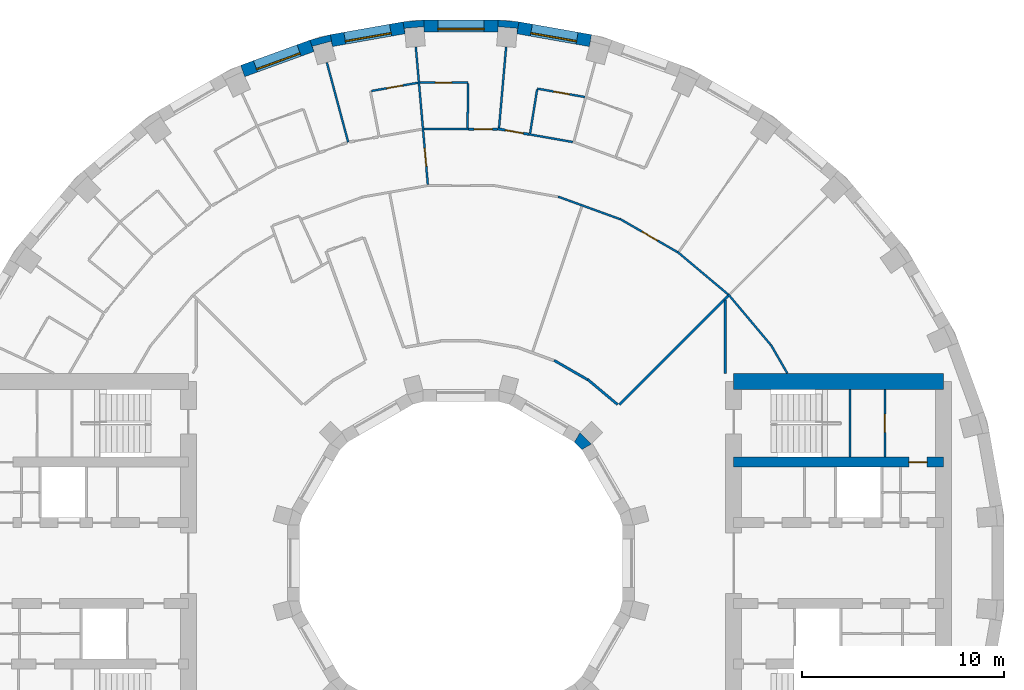
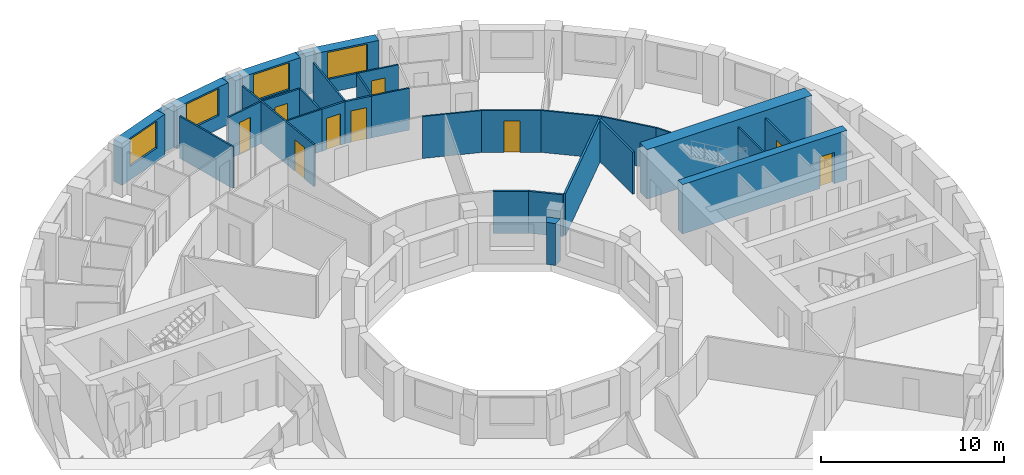
# One storey, part 11 of 14: 33 walls, 9 doors, 4 windows, 13 openings.
"""IFC4 building model written with IfcOpenShell, lengths in metres."""

from ifc_helpers import new_model, si_unit, direction, frame, frame_2d, origin, place, context, subcontext, project, spatial, polyline, rectangle, outline, extrude, material, layer, layer_set, type_object, element, fill, save


model = new_model("IFC4")

# Units and contexts
model_context = context("Model", 3, precision=1e-05, world=origin(), true_north=direction((0.0, 1.0)))
body_context = subcontext(model_context, "Body", "Model", "MODEL_VIEW")
ifc_project = project(units=[si_unit("LENGTHUNIT", "METRE"), si_unit("AREAUNIT", "SQUARE_METRE"), si_unit("VOLUMEUNIT", "CUBIC_METRE"), si_unit("PLANEANGLEUNIT", "RADIAN"), si_unit("MASSUNIT", "GRAM", prefix="KILO")], contexts=[model_context])

# Site, building, storey
site_placement = place(None, origin())
site = spatial("IfcSite", under=ifc_project, at=site_placement, CompositionType="ELEMENT")
building_placement = place(site_placement, origin())
building = spatial("IfcBuilding", under=site, at=building_placement, Name="Saqina Gate Tower", CompositionType="ELEMENT")
storey_placement = place(building_placement, frame((0.0, 0.0, 134.800048828125)))
storey = spatial("IfcBuildingStorey", under=building, at=storey_placement, Name="L38", CompositionType="ELEMENT", Elevation=134.800048828125)

# Walls
ifc_material_1 = material(Name="Brick masonry (buff)", Category="masonry")
wall_type_1 = type_object("IfcWallType", Name="BRICK PIER COPING BUFF", PredefinedType="SOLIDWALL", material=ifc_material_1)
wall_1_placement = place(storey_placement, origin())
element("IfcWall", 1, at=wall_1_placement, inside=storey, type_object=wall_type_1, Name="Pier cap L38 column 9", PredefinedType="SOLIDWALL", context=body_context, shape_type="SweptSolid", body=[
    extrude(outline(polyline([(2.87451171875, 26.805419921875), (1.823974609375, 26.897216796875), (1.823974609375, 26.29736328125), (1.847412109375, 26.565185546875), (2.793701171875, 26.482421875), (2.770263671875, 26.214599609375), (2.87451171875, 26.805419921875)])), origin(), (0.0, 0.0, 1.0), 2.800048828125),
])
wall_2_placement = place(storey_placement, origin())
element("IfcWall", 2, at=wall_2_placement, inside=storey, type_object=wall_type_1, Name="Pier cap L38 column 10", PredefinedType="SOLIDWALL", context=body_context, shape_type="SweptSolid", body=[
    extrude(outline(polyline([(-2.87451171875, 26.805419921875), (-2.770263671875, 26.214599609375), (-2.793701171875, 26.482421875), (-1.847412109375, 26.565185546875), (-1.823974609375, 26.29736328125), (-1.823974609375, 26.897216796875), (-2.87451171875, 26.805419921875)])), origin(), (0.0, 0.0, 1.0), 2.800048828125),
])
wall_3_placement = place(storey_placement, origin())
element("IfcWall", 3, at=wall_3_placement, inside=storey, type_object=wall_type_1, Name="Pier cap L38 column 11", PredefinedType="SOLIDWALL", context=body_context, shape_type="SweptSolid", body=[
    extrude(outline(polyline([(-6.466796875, 26.171875), (-7.485595703125, 25.89892578125), (-7.2802734375, 25.335205078125), (-7.349853515625, 25.5947265625), (-6.43212890625, 25.8408203125), (-6.36279296875, 25.5810546875), (-6.466796875, 26.171875)])), origin(), (0.0, 0.0, 1.0), 2.800048828125),
])

# Wall, opening, door
ifc_material_2 = material(Name="Gypsum board on steel studs", Category="steel")
ifc_layer_1 = layer(ifc_material_2, 0.10009765625)
ifc_layer_set_1 = layer_set([ifc_layer_1], Name="CORE PARTITION")
wall_type_2 = type_object("IfcWallType", Name="CORE PARTITION", PredefinedType="PARTITIONING", material=ifc_layer_set_1)
wall_4_placement = place(storey_placement, frame((20.991943359375, 5.25, 0.0), z_axis=(0.0, 0.0, 1.0), x_axis=(0.0, 1.0, 0.0)))
wall_4 = element("IfcWall", 4, at=wall_4_placement, inside=storey, type_object=wall_type_2, Name="L38-CP-E13", PredefinedType="PARTITIONING", context=body_context, shape_type="SweptSolid", body=[
    extrude(rectangle(XDim=3.35009765625, YDim=0.10009765625, at=frame_2d((1.675048828125, 0.0))), origin(), (0.0, 0.0, 1.0), 2.800048828125),
])
opening_1_placement = place(wall_4_placement, frame((1.22509765625, 0.0, 0.0)))
opening_1 = element("IfcOpeningElement", 5, at=opening_1_placement, cuts=wall_4, Name="Opening G11-D99", PredefinedType="OPENING", context=body_context, shape_type="SweptSolid", body=[
    extrude(rectangle(XDim=0.89990234375, YDim=2.10009765625, at=frame_2d((0.449951171875, 1.050048828125))), frame((0.0, 0.06201171875, 0.0), z_axis=(0.0, -1.0, 0.0), x_axis=(1.0, 0.0, 0.0)), (0.0, 0.0, 1.0), 0.1240234375),
])
ifc_material_3 = material(Name="Steel-framed fire door leaf, EI 60", Category="steel")
door_type_1 = type_object("IfcDoorType", Name="SERVICE ROOM DOOR 900", OperationType="SINGLE_SWING_LEFT", PredefinedType="DOOR", material=ifc_material_3)
door_1_placement = place(opening_1_placement, frame((0.89990234375, 0.0, 0.0), z_axis=(0.0, 0.0, 1.0), x_axis=(-1.0, 0.0, 0.0)))
door_1 = element("IfcDoor", 6, at=door_1_placement, inside=storey, type_object=door_type_1, Name="L38-CD-E10", OperationType="SINGLE_SWING_LEFT", OverallHeight=2.10009765625, OverallWidth=0.89990234375, PredefinedType="DOOR", context=body_context, shape_type="SweptSolid", body=[
    extrude(rectangle(XDim=0.89990234375, YDim=2.10009765625, at=frame_2d((0.449951171875, 1.050048828125))), frame((0.0, 0.02490234375, 0.0), z_axis=(0.0, -1.0, 0.0), x_axis=(1.0, 0.0, 0.0)), (0.0, 0.0, 1.0), 0.050048828125),
])
fill(opening_1, door_1)

# Wall, opening, window
ifc_material_4 = material(Name="Brick masonry (buff)", Category="masonry")
ifc_layer_2 = layer(ifc_material_4, 0.60009765625)
ifc_layer_set_2 = layer_set([ifc_layer_2], Name="FW-BRICK-BUFF")
wall_type_3 = type_object("IfcWallType", Name="FW-BRICK-BUFF", PredefinedType="SOLIDWALL", material=ifc_layer_set_2)
wall_5_placement = place(storey_placement, frame((6.414794921875, 25.87646484375, 0.0), z_axis=(0.0, 0.0, 1.0), x_axis=(-0.984803764455, 0.173670796382, 0.0)))
wall_5 = element("IfcWall", 7, at=wall_5_placement, inside=storey, type_object=wall_type_3, Name="Facade wall L38 facet 8", PredefinedType="SOLIDWALL", context=body_context, shape_type="SweptSolid", body=[
    extrude(rectangle(XDim=3.64794921875, YDim=0.60009765625, at=frame_2d((1.823974609375, 0.0))), origin(), (0.0, 0.0, 1.0), 2.800048828125),
])
opening_2_placement = place(wall_5_placement, frame((0.673828125, 0.0, 0.89990234375)))
opening_2 = element("IfcOpeningElement", 8, at=opening_2_placement, cuts=wall_5, Name="Opening G11-W06", PredefinedType="OPENING", context=body_context, shape_type="SweptSolid", body=[
    extrude(rectangle(XDim=2.300048828125, YDim=1.800048828125, at=frame_2d((1.14990234375, 0.89990234375))), frame((0.0, 0.31201171875, 0.0), z_axis=(0.0, -1.0, 0.0), x_axis=(1.0, 0.0, 0.0)), (0.0, 0.0, 1.0), 0.6240234375),
])
ifc_material_5 = material(Name="Aluminium glazing", Category="aluminium")
window_type = type_object("IfcWindowType", Name="WN-B", PartitioningType="SINGLE_PANEL", PredefinedType="WINDOW", material=ifc_material_5)
window_1_placement = place(opening_2_placement, origin())
window_1 = element("IfcWindow", 9, at=window_1_placement, inside=storey, type_object=window_type, Name="Window L38 facet 8", OverallHeight=1.800048828125, OverallWidth=2.300048828125, PartitioningType="SINGLE_PANEL", PredefinedType="WINDOW", context=body_context, shape_type="SweptSolid", body=[
    extrude(rectangle(XDim=2.300048828125, YDim=1.800048828125, at=frame_2d((1.14990234375, 0.89990234375))), frame((0.0, 0.179931640625, 0.0), z_axis=(0.0, -1.0, 0.0), x_axis=(1.0, 0.0, 0.0)), (0.0, 0.0, 1.0), 0.06005859375),
])
fill(opening_2, window_1)

wall_6_placement = place(storey_placement, frame((1.823974609375, 26.59716796875, 0.0), z_axis=(0.0, 0.0, 1.0), x_axis=(-1.0, 0.0, 0.0)))
wall_6 = element("IfcWall", 10, at=wall_6_placement, inside=storey, type_object=wall_type_3, Name="Facade wall L38 facet 9", PredefinedType="SOLIDWALL", context=body_context, shape_type="SweptSolid", body=[
    extrude(rectangle(XDim=3.64794921875, YDim=0.60009765625, at=frame_2d((1.823974609375, 0.0))), origin(), (0.0, 0.0, 1.0), 2.800048828125),
])
opening_3_placement = place(wall_6_placement, frame((0.673828125, 0.0, 0.89990234375)))
opening_3 = element("IfcOpeningElement", 11, at=opening_3_placement, cuts=wall_6, Name="Opening G11-W07", PredefinedType="OPENING", context=body_context, shape_type="SweptSolid", body=[
    extrude(rectangle(XDim=2.300048828125, YDim=1.800048828125, at=frame_2d((1.14990234375, 0.89990234375))), frame((0.0, 0.31201171875, 0.0), z_axis=(0.0, -1.0, 0.0), x_axis=(1.0, 0.0, 0.0)), (0.0, 0.0, 1.0), 0.6240234375),
])
window_2_placement = place(opening_3_placement, origin())
window_2 = element("IfcWindow", 12, at=window_2_placement, inside=storey, type_object=window_type, Name="Window L38 facet 9", OverallHeight=1.800048828125, OverallWidth=2.300048828125, PartitioningType="SINGLE_PANEL", PredefinedType="WINDOW", context=body_context, shape_type="SweptSolid", body=[
    extrude(rectangle(XDim=2.300048828125, YDim=1.800048828125, at=frame_2d((1.14990234375, 0.89990234375))), frame((0.0, 0.179931640625, 0.0), z_axis=(0.0, -1.0, 0.0), x_axis=(1.0, 0.0, 0.0)), (0.0, 0.0, 1.0), 0.06005859375),
])
fill(opening_3, window_2)

wall_7_placement = place(storey_placement, frame((-2.822265625, 26.510009765625, 0.0), z_axis=(0.0, 0.0, 1.0), x_axis=(-0.984803764455, -0.173670796382, 0.0)))
wall_7 = element("IfcWall", 13, at=wall_7_placement, inside=storey, type_object=wall_type_3, Name="Facade wall L38 facet 10", PredefinedType="SOLIDWALL", context=body_context, shape_type="SweptSolid", body=[
    extrude(rectangle(XDim=3.64794921875, YDim=0.60009765625, at=frame_2d((1.823974609375, 0.0))), origin(), (0.0, 0.0, 1.0), 2.800048828125),
])
opening_4_placement = place(wall_7_placement, frame((0.673828125, 0.0, 0.89990234375)))
opening_4 = element("IfcOpeningElement", 14, at=opening_4_placement, cuts=wall_7, Name="Opening G11-W08", PredefinedType="OPENING", context=body_context, shape_type="SweptSolid", body=[
    extrude(rectangle(XDim=2.300048828125, YDim=1.800048828125, at=frame_2d((1.14990234375, 0.89990234375))), frame((0.0, 0.31201171875, 0.0), z_axis=(0.0, -1.0, 0.0), x_axis=(1.0, 0.0, 0.0)), (0.0, 0.0, 1.0), 0.6240234375),
])
window_3_placement = place(opening_4_placement, origin())
window_3 = element("IfcWindow", 15, at=window_3_placement, inside=storey, type_object=window_type, Name="Window L38 facet 10", OverallHeight=1.800048828125, OverallWidth=2.300048828125, PartitioningType="SINGLE_PANEL", PredefinedType="WINDOW", context=body_context, shape_type="SweptSolid", body=[
    extrude(rectangle(XDim=2.300048828125, YDim=1.800048828125, at=frame_2d((1.14990234375, 0.89990234375))), frame((0.0, 0.179931640625, 0.0), z_axis=(0.0, -1.0, 0.0), x_axis=(1.0, 0.0, 0.0)), (0.0, 0.0, 1.0), 0.06005859375),
])
fill(opening_4, window_3)

wall_8_placement = place(storey_placement, frame((-7.3828125, 25.616943359375, 0.0), z_axis=(0.0, 0.0, 1.0), x_axis=(-0.939703505393, -0.341990236633, 0.0)))
wall_8 = element("IfcWall", 16, at=wall_8_placement, inside=storey, type_object=wall_type_3, Name="Facade wall L38 facet 11", PredefinedType="SOLIDWALL", context=body_context, shape_type="SweptSolid", body=[
    extrude(rectangle(XDim=3.64794921875, YDim=0.60009765625, at=frame_2d((1.823974609375, 0.0))), origin(), (0.0, 0.0, 1.0), 2.800048828125),
])
opening_5_placement = place(wall_8_placement, frame((0.673828125, 0.0, 0.89990234375)))
opening_5 = element("IfcOpeningElement", 17, at=opening_5_placement, cuts=wall_8, Name="Opening G11-W09", PredefinedType="OPENING", context=body_context, shape_type="SweptSolid", body=[
    extrude(rectangle(XDim=2.300048828125, YDim=1.800048828125, at=frame_2d((1.14990234375, 0.89990234375))), frame((0.0, 0.31201171875, 0.0), z_axis=(0.0, -1.0, 0.0), x_axis=(1.0, 0.0, 0.0)), (0.0, 0.0, 1.0), 0.6240234375),
])
window_4_placement = place(opening_5_placement, origin())
window_4 = element("IfcWindow", 18, at=window_4_placement, inside=storey, type_object=window_type, Name="Window L38 facet 11", OverallHeight=1.800048828125, OverallWidth=2.300048828125, PartitioningType="SINGLE_PANEL", PredefinedType="WINDOW", context=body_context, shape_type="SweptSolid", body=[
    extrude(rectangle(XDim=2.300048828125, YDim=1.800048828125, at=frame_2d((1.14990234375, 0.89990234375))), frame((0.0, 0.179931640625, 0.0), z_axis=(0.0, -1.0, 0.0), x_axis=(1.0, 0.0, 0.0)), (0.0, 0.0, 1.0), 0.06005859375),
])
fill(opening_5, window_4)

# Wall, opening, door
ifc_material_6 = material(Name="Gypsum board on steel studs, 100 mm", Category="steel")
ifc_layer_3 = layer(ifc_material_6, 0.10009765625)
ifc_layer_set_3 = layer_set([ifc_layer_3], Name="PARTITION 100")
wall_type_4 = type_object("IfcWallType", Name="PARTITION 100", PredefinedType="PARTITIONING", material=ifc_layer_set_3)
wall_9_placement = place(storey_placement, frame((-2.23681640625, 25.5673828125, 0.0), z_axis=(0.0, 0.0, 1.0), x_axis=(0.087068277691, -0.996202346424, 0.0)))
wall_9 = element("IfcWall", 19, at=wall_9_placement, inside=storey, type_object=wall_type_4, Name="PARTITION PW3-02", PredefinedType="PARTITIONING", context=body_context, shape_type="SweptSolid", body=[
    extrude(rectangle(XDim=6.844482421875, YDim=0.10009765625, at=frame_2d((3.42236328125, 0.0))), origin(), (0.0, 0.0, 1.0), 2.800048828125),
])
opening_6_placement = place(wall_9_placement, frame((5.040283203125, 0.0, 0.0)))
opening_6 = element("IfcOpeningElement", 20, at=opening_6_placement, cuts=wall_9, Name="Opening G11-D11", PredefinedType="OPENING", context=body_context, shape_type="SweptSolid", body=[
    extrude(rectangle(XDim=0.89990234375, YDim=2.10009765625, at=frame_2d((0.449951171875, 1.050048828125))), frame((0.0, 0.06201171875, 0.0), z_axis=(0.0, -1.0, 0.0), x_axis=(1.0, 0.0, 0.0)), (0.0, 0.0, 1.0), 0.1240234375),
])
ifc_material_7 = material(Name="Timber door leaf, 900 mm", Category="wood")
door_type_2 = type_object("IfcDoorType", Name="DOOR 900 TIMBER", OperationType="SINGLE_SWING_LEFT", PredefinedType="DOOR", material=ifc_material_7)
door_2_placement = place(opening_6_placement, origin())
door_2 = element("IfcDoor", 21, at=door_2_placement, inside=storey, type_object=door_type_2, Name="DOOR G11-D11", OperationType="SINGLE_SWING_RIGHT", OverallHeight=2.10009765625, OverallWidth=0.89990234375, PredefinedType="DOOR", context=body_context, shape_type="SweptSolid", body=[
    extrude(rectangle(XDim=0.89990234375, YDim=2.10009765625, at=frame_2d((0.449951171875, 1.050048828125))), frame((0.0, 0.02490234375, 0.0), z_axis=(0.0, -1.0, 0.0), x_axis=(1.0, 0.0, 0.0)), (0.0, 0.0, 1.0), 0.050048828125),
])
fill(opening_6, door_2)

# Walls
wall_10_placement = place(storey_placement, frame((-6.642333984375, 24.79052734375, 0.0), z_axis=(0.0, 0.0, 1.0), x_axis=(0.258796817064, -0.965931782, 0.0)))
element("IfcWall", 22, at=wall_10_placement, inside=storey, type_object=wall_type_4, Name="PARTITION PW3-09", PredefinedType="PARTITIONING", context=body_context, shape_type="SweptSolid", body=[
    extrude(rectangle(XDim=4.085693359375, YDim=0.10009765625, at=frame_2d((2.04296875, 0.0))), origin(), (0.0, 0.0, 1.0), 2.800048828125),
])
wall_11_placement = place(storey_placement, frame((15.3505859375, 10.81005859375, 0.0), z_axis=(0.0, 0.0, 1.0), x_axis=(0.499618727529, -0.866245419672, 0.0)))
element("IfcWall", 23, at=wall_11_placement, inside=storey, type_object=wall_type_4, Name="PARTITION PW3-15", PredefinedType="PARTITIONING", context=body_context, shape_type="SweptSolid", body=[
    extrude(rectangle(XDim=1.630126953125, YDim=0.10009765625, at=frame_2d((0.81494140625, 0.0))), origin(), (0.0, 0.0, 1.0), 2.800048828125),
])
for number, where, z_axis, x_axis, name in (
    (24, (13.2392578125, 13.310791015625, 0.0), (0.0, 0.0, 1.0), (0.643004881109, -0.76586207823, 0.0), "PARTITION PW3-20"),
    (25, (10.72705078125, 15.40869140625, 0.0), (0.0, 0.0, 1.0), (0.76586207823, -0.643004881109, 0.0), "PARTITION PW3-23"),
):
    element("IfcWall", number, at=place(storey_placement, frame(where, z_axis=z_axis, x_axis=x_axis)), inside=storey, type_object=wall_type_4, Name=name, PredefinedType="PARTITIONING", context=body_context, shape_type="SweptSolid", body=[
        extrude(rectangle(XDim=3.27294921875, YDim=0.10009765625, at=frame_2d((1.636474609375, 0.0))), origin(), (0.0, 0.0, 1.0), 2.800048828125),
    ])

# Wall, opening, door
wall_12_placement = place(storey_placement, frame((7.888916015625, 17.037353515625, 0.0), z_axis=(0.0, 0.0, 1.0), x_axis=(0.866002935623, -0.500038913978, 0.0)))
wall_12 = element("IfcWall", 26, at=wall_12_placement, inside=storey, type_object=wall_type_4, Name="PARTITION PW3-27", PredefinedType="PARTITIONING", context=body_context, shape_type="SweptSolid", body=[
    extrude(rectangle(XDim=3.272216796875, YDim=0.10009765625, at=frame_2d((1.63623046875, 0.0))), origin(), (0.0, 0.0, 1.0), 2.800048828125),
])
opening_7_placement = place(wall_12_placement, frame((1.236572265625, 0.0, 0.0)))
opening_7 = element("IfcOpeningElement", 27, at=opening_7_placement, cuts=wall_12, Name="Opening G11-D03", PredefinedType="OPENING", context=body_context, shape_type="SweptSolid", body=[
    extrude(rectangle(XDim=0.89990234375, YDim=2.10009765625, at=frame_2d((0.449951171875, 1.050048828125))), frame((0.0, 0.06201171875, 0.0), z_axis=(0.0, -1.0, 0.0), x_axis=(1.0, 0.0, 0.0)), (0.0, 0.0, 1.0), 0.1240234375),
])
door_3_placement = place(opening_7_placement, origin())
door_3 = element("IfcDoor", 28, at=door_3_placement, inside=storey, type_object=door_type_2, Name="DOOR G11-D03", OperationType="SINGLE_SWING_RIGHT", OverallHeight=2.10009765625, OverallWidth=0.89990234375, PredefinedType="DOOR", context=body_context, shape_type="SweptSolid", body=[
    extrude(rectangle(XDim=0.89990234375, YDim=2.10009765625, at=frame_2d((0.449951171875, 1.050048828125))), frame((0.0, 0.02490234375, 0.0), z_axis=(0.0, -1.0, 0.0), x_axis=(1.0, 0.0, 0.0)), (0.0, 0.0, 1.0), 0.050048828125),
])
fill(opening_7, door_3)

# Walls
wall_13_placement = place(storey_placement, frame((4.810302734375, 18.14794921875, 0.0), z_axis=(0.0, 0.0, 1.0), x_axis=(0.939747677998, -0.341868836979, 0.0)))
element("IfcWall", 29, at=wall_13_placement, inside=storey, type_object=wall_type_4, Name="PARTITION PW3-30", PredefinedType="PARTITIONING", context=body_context, shape_type="SweptSolid", body=[
    extrude(rectangle(XDim=3.27294921875, YDim=0.10009765625, at=frame_2d((1.636474609375, 0.0))), origin(), (0.0, 0.0, 1.0), 2.800048828125),
])
wall_14_placement = place(storey_placement, frame((3.36474609375, 21.235595703125, 0.0), z_axis=(0.0, 0.0, 1.0), x_axis=(0.98480584975, -0.173658971256, 0.0)))
element("IfcWall", 30, at=wall_14_placement, inside=storey, type_object=wall_type_4, Name="PARTITION PW3-36", PredefinedType="PARTITIONING", context=body_context, shape_type="SweptSolid", body=[
    extrude(rectangle(XDim=2.204345703125, YDim=0.10009765625, at=frame_2d((1.10205078125, 0.0))), origin(), (0.0, 0.0, 1.0), 2.800048828125),
])

# Wall, opening, door
wall_15_placement = place(storey_placement, frame((3.779052734375, 23.498046875, 0.0), z_axis=(0.0, 0.0, 1.0), x_axis=(0.984802055472, -0.173680486922, 0.0)))
wall_15 = element("IfcWall", 31, at=wall_15_placement, inside=storey, type_object=wall_type_4, Name="PARTITION PW3-37", PredefinedType="PARTITIONING", context=body_context, shape_type="SweptSolid", body=[
    extrude(rectangle(XDim=2.39111328125, YDim=0.10009765625, at=frame_2d((1.195556640625, 0.0))), origin(), (0.0, 0.0, 1.0), 2.800048828125),
])
opening_8_placement = place(wall_15_placement, frame((0.820556640625, 0.0, 0.0)))
opening_8 = element("IfcOpeningElement", 32, at=opening_8_placement, cuts=wall_15, Name="Opening G11-D06", PredefinedType="OPENING", context=body_context, shape_type="SweptSolid", body=[
    extrude(rectangle(XDim=0.800048828125, YDim=2.10009765625, at=frame_2d((0.39990234375, 1.050048828125))), frame((0.0, 0.06201171875, 0.0), z_axis=(0.0, -1.0, 0.0), x_axis=(1.0, 0.0, 0.0)), (0.0, 0.0, 1.0), 0.1240234375),
])
ifc_material_8 = material(Name="Timber door leaf, 800 mm", Category="wood")
door_type_3 = type_object("IfcDoorType", Name="DOOR 800 TIMBER", OperationType="SINGLE_SWING_LEFT", PredefinedType="DOOR", material=ifc_material_8)
door_4_placement = place(opening_8_placement, origin())
door_4 = element("IfcDoor", 33, at=door_4_placement, inside=storey, type_object=door_type_3, Name="DOOR G11-D06", OperationType="SINGLE_SWING_RIGHT", OverallHeight=2.10009765625, OverallWidth=0.800048828125, PredefinedType="DOOR", context=body_context, shape_type="SweptSolid", body=[
    extrude(rectangle(XDim=0.800048828125, YDim=2.10009765625, at=frame_2d((0.39990234375, 1.050048828125))), frame((0.0, 0.02490234375, 0.0), z_axis=(0.0, -1.0, 0.0), x_axis=(1.0, 0.0, 0.0)), (0.0, 0.0, 1.0), 0.050048828125),
])
fill(opening_8, door_4)

# Wall
wall_16_placement = place(storey_placement, frame((-1.8310546875, 21.4970703125, 0.0), z_axis=(0.0, 0.0, 1.0), x_axis=(1.0, 0.0, 0.0)))
element("IfcWall", 34, at=wall_16_placement, inside=storey, type_object=wall_type_4, Name="PARTITION PW3-42", PredefinedType="PARTITIONING", context=body_context, shape_type="SweptSolid", body=[
    extrude(rectangle(XDim=2.205078125, YDim=0.10009765625, at=frame_2d((1.1025390625, 0.0))), origin(), (0.0, 0.0, 1.0), 2.800048828125),
])

# Wall, opening, door
wall_17_placement = place(storey_placement, frame((-2.031982421875, 23.797119140625, 0.0), z_axis=(0.0, 0.0, 1.0), x_axis=(1.0, 0.0, 0.0)))
wall_17 = element("IfcWall", 35, at=wall_17_placement, inside=storey, type_object=wall_type_4, Name="PARTITION PW3-43", PredefinedType="PARTITIONING", context=body_context, shape_type="SweptSolid", body=[
    extrude(rectangle(XDim=2.390869140625, YDim=0.10009765625, at=frame_2d((1.1953125, 0.0))), origin(), (0.0, 0.0, 1.0), 2.800048828125),
])
opening_9_placement = place(wall_17_placement, frame((0.7705078125, 0.0, 0.0)))
opening_9 = element("IfcOpeningElement", 36, at=opening_9_placement, cuts=wall_17, Name="Opening G11-D10", PredefinedType="OPENING", context=body_context, shape_type="SweptSolid", body=[
    extrude(rectangle(XDim=0.800048828125, YDim=2.10009765625, at=frame_2d((0.39990234375, 1.050048828125))), frame((0.0, 0.06201171875, 0.0), z_axis=(0.0, -1.0, 0.0), x_axis=(1.0, 0.0, 0.0)), (0.0, 0.0, 1.0), 0.1240234375),
])
door_5_placement = place(opening_9_placement, origin())
door_5 = element("IfcDoor", 37, at=door_5_placement, inside=storey, type_object=door_type_3, Name="DOOR G11-D10", OperationType="SINGLE_SWING_LEFT", OverallHeight=2.10009765625, OverallWidth=0.800048828125, PredefinedType="DOOR", context=body_context, shape_type="SweptSolid", body=[
    extrude(rectangle(XDim=0.800048828125, YDim=2.10009765625, at=frame_2d((0.39990234375, 1.050048828125))), frame((0.0, 0.02490234375, 0.0), z_axis=(0.0, -1.0, 0.0), x_axis=(1.0, 0.0, 0.0)), (0.0, 0.0, 1.0), 0.050048828125),
])
fill(opening_9, door_5)

wall_18_placement = place(storey_placement, frame((-4.436767578125, 23.381591796875, 0.0), z_axis=(0.0, 0.0, 1.0), x_axis=(0.984790907087, 0.173743688574, 0.0)))
wall_18 = element("IfcWall", 38, at=wall_18_placement, inside=storey, type_object=wall_type_4, Name="PARTITION PW3-50", PredefinedType="PARTITIONING", context=body_context, shape_type="SweptSolid", body=[
    extrude(rectangle(XDim=2.341064453125, YDim=0.10009765625, at=frame_2d((1.17041015625, 0.0))), origin(), (0.0, 0.0, 1.0), 2.800048828125),
])
opening_10_placement = place(wall_18_placement, frame((0.7705078125, 0.0, 0.0)))
opening_10 = element("IfcOpeningElement", 39, at=opening_10_placement, cuts=wall_18, Name="Opening G11-D12", PredefinedType="OPENING", context=body_context, shape_type="SweptSolid", body=[
    extrude(rectangle(XDim=0.800048828125, YDim=2.10009765625, at=frame_2d((0.39990234375, 1.050048828125))), frame((0.0, 0.06201171875, 0.0), z_axis=(0.0, -1.0, 0.0), x_axis=(1.0, 0.0, 0.0)), (0.0, 0.0, 1.0), 0.1240234375),
])
door_6_placement = place(opening_10_placement, origin())
door_6 = element("IfcDoor", 40, at=door_6_placement, inside=storey, type_object=door_type_3, Name="DOOR G11-D12", OperationType="SINGLE_SWING_RIGHT", OverallHeight=2.10009765625, OverallWidth=0.800048828125, PredefinedType="DOOR", context=body_context, shape_type="SweptSolid", body=[
    extrude(rectangle(XDim=0.800048828125, YDim=2.10009765625, at=frame_2d((0.39990234375, 1.050048828125))), frame((0.0, 0.02490234375, 0.0), z_axis=(0.0, -1.0, 0.0), x_axis=(1.0, 0.0, 0.0)), (0.0, 0.0, 1.0), 0.050048828125),
])
fill(opening_10, door_6)

# Walls
wall_19_placement = place(storey_placement, frame((3.423828125, 21.288818359375, 0.0), z_axis=(0.0, 0.0, 1.0), x_axis=(0.158695579516, 0.987327561168, 0.0)))
element("IfcWall", 41, at=wall_19_placement, inside=storey, type_object=wall_type_4, Name="PARTITION PW3-83", PredefinedType="PARTITIONING", context=body_context, shape_type="SweptSolid", body=[
    extrude(rectangle(XDim=2.187744140625, YDim=0.10009765625, at=frame_2d((1.09375, 0.0))), origin(), (0.0, 0.0, 1.0), 2.800048828125),
])
wall_20_placement = place(storey_placement, frame((1.886474609375, 21.559326171875, 0.0), z_axis=(0.0, 0.0, 1.0), x_axis=(0.087137593131, 0.996196285811, 0.0)))
element("IfcWall", 42, at=wall_20_placement, inside=storey, type_object=wall_type_4, Name="PARTITION PW3-85", PredefinedType="PARTITIONING", context=body_context, shape_type="SweptSolid", body=[
    extrude(rectangle(XDim=4.0234375, YDim=0.10009765625, at=frame_2d((2.01171875, 0.0))), origin(), (0.0, 0.0, 1.0), 2.800048828125),
])
wall_21_placement = place(storey_placement, frame((0.324951171875, 21.5595703125, 0.0), z_axis=(0.0, 0.0, 1.0), x_axis=(0.015176823242, 0.999884825386, 0.0)))
element("IfcWall", 43, at=wall_21_placement, inside=storey, type_object=wall_type_4, Name="PARTITION PW3-86", PredefinedType="PARTITIONING", context=body_context, shape_type="SweptSolid", body=[
    extrude(rectangle(XDim=2.187744140625, YDim=0.10009765625, at=frame_2d((1.09375, 0.0))), origin(), (0.0, 0.0, 1.0), 2.800048828125),
])
ifc_material_9 = material(Name="Gypsum board on steel studs, 125 mm, fire rated", Category="steel")
ifc_layer_4 = layer(ifc_material_9, 0.125)
ifc_layer_set_4 = layer_set([ifc_layer_4], Name="PARTITION EI 30 125")
wall_type_5 = type_object("IfcWallType", Name="PARTITION EI 30 125", PredefinedType="PARTITIONING", material=ifc_layer_set_4)
wall_22_placement = place(storey_placement, frame((6.284423828125, 9.085693359375, 0.0), z_axis=(0.0, 0.0, 1.0), x_axis=(0.766243876147, -0.642549859752, 0.0)))
element("IfcWall", 44, at=wall_22_placement, inside=storey, type_object=wall_type_5, Name="PARTITION PW1-09", PredefinedType="PARTITIONING", context=body_context, shape_type="SweptSolid", body=[
    extrude(rectangle(XDim=1.92626953125, YDim=0.125, at=frame_2d((0.963134765625, 0.0))), origin(), (0.0, 0.0, 1.0), 2.800048828125),
])
wall_23_placement = place(storey_placement, frame((4.612060546875, 10.038818359375, 0.0), z_axis=(0.0, 0.0, 1.0), x_axis=(0.865978590021, -0.500081075052, 0.0)))
element("IfcWall", 45, at=wall_23_placement, inside=storey, type_object=wall_type_5, Name="PARTITION PW1-11", PredefinedType="PARTITIONING", context=body_context, shape_type="SweptSolid", body=[
    extrude(rectangle(XDim=1.925048828125, YDim=0.125, at=frame_2d((0.96240234375, 0.0))), origin(), (0.0, 0.0, 1.0), 2.800048828125),
])

# Wall, opening, door
wall_24_placement = place(storey_placement, frame((1.818603515625, 21.508056640625, 0.0), z_axis=(0.0, 0.0, 1.0), x_axis=(0.984825798369, -0.17354580625, 0.0)))
wall_24 = element("IfcWall", 46, at=wall_24_placement, inside=storey, type_object=wall_type_5, Name="PARTITION PW1-18", PredefinedType="PARTITIONING", context=body_context, shape_type="SweptSolid", body=[
    extrude(rectangle(XDim=1.570068359375, YDim=0.125, at=frame_2d((0.78515625, 0.0))), origin(), (0.0, 0.0, 1.0), 2.800048828125),
])
opening_11_placement = place(wall_24_placement, frame((0.391845703125, 0.0, 0.0)))
opening_11 = element("IfcOpeningElement", 47, at=opening_11_placement, cuts=wall_24, Name="Opening G11-D07", PredefinedType="OPENING", context=body_context, shape_type="SweptSolid", body=[
    extrude(rectangle(XDim=0.89990234375, YDim=2.10009765625, at=frame_2d((0.449951171875, 1.050048828125))), frame((0.0, 0.074462890625, 0.0), z_axis=(0.0, -1.0, 0.0), x_axis=(1.0, 0.0, 0.0)), (0.0, 0.0, 1.0), 0.14892578125),
])
ifc_material_10 = material(Name="Fire door leaf EI 30, 900 mm")
door_type_4 = type_object("IfcDoorType", Name="DOOR 900 EI 30", OperationType="SINGLE_SWING_LEFT", PredefinedType="DOOR", material=ifc_material_10)
door_7_placement = place(opening_11_placement, frame((0.89990234375, 0.0, 0.0), z_axis=(0.0, 0.0, 1.0), x_axis=(-1.0, 0.0, 0.0)))
door_7 = element("IfcDoor", 48, at=door_7_placement, inside=storey, type_object=door_type_4, Name="DOOR G11-D07", OperationType="SINGLE_SWING_RIGHT", OverallHeight=2.10009765625, OverallWidth=0.89990234375, PredefinedType="DOOR", context=body_context, shape_type="SweptSolid", body=[
    extrude(rectangle(XDim=0.89990234375, YDim=2.10009765625, at=frame_2d((0.449951171875, 1.050048828125))), frame((0.0, 0.02490234375, 0.0), z_axis=(0.0, -1.0, 0.0), x_axis=(1.0, 0.0, 0.0)), (0.0, 0.0, 1.0), 0.050048828125),
])
fill(opening_11, door_7)

wall_25_placement = place(storey_placement, frame((0.3740234375, 21.4970703125, 0.0), z_axis=(0.0, 0.0, 1.0), x_axis=(1.0, 0.0, 0.0)))
wall_25 = element("IfcWall", 49, at=wall_25_placement, inside=storey, type_object=wall_type_5, Name="PARTITION PW1-22", PredefinedType="PARTITIONING", context=body_context, shape_type="SweptSolid", body=[
    extrude(rectangle(XDim=1.444580078125, YDim=0.125, at=frame_2d((0.72216796875, 0.0))), origin(), (0.0, 0.0, 1.0), 2.800048828125),
])
opening_12_placement = place(wall_25_placement, frame((0.278564453125, 0.0, 0.0)))
opening_12 = element("IfcOpeningElement", 50, at=opening_12_placement, cuts=wall_25, Name="Opening G11-D08", PredefinedType="OPENING", context=body_context, shape_type="SweptSolid", body=[
    extrude(rectangle(XDim=0.89990234375, YDim=2.10009765625, at=frame_2d((0.449951171875, 1.050048828125))), frame((0.0, 0.074462890625, 0.0), z_axis=(0.0, -1.0, 0.0), x_axis=(1.0, 0.0, 0.0)), (0.0, 0.0, 1.0), 0.14892578125),
])
door_8_placement = place(opening_12_placement, frame((0.89990234375, 0.0, 0.0), z_axis=(0.0, 0.0, 1.0), x_axis=(-1.0, 0.0, 0.0)))
door_8 = element("IfcDoor", 51, at=door_8_placement, inside=storey, type_object=door_type_4, Name="DOOR G11-D08", OperationType="SINGLE_SWING_LEFT", OverallHeight=2.10009765625, OverallWidth=0.89990234375, PredefinedType="DOOR", context=body_context, shape_type="SweptSolid", body=[
    extrude(rectangle(XDim=0.89990234375, YDim=2.10009765625, at=frame_2d((0.449951171875, 1.050048828125))), frame((0.0, 0.02490234375, 0.0), z_axis=(0.0, -1.0, 0.0), x_axis=(1.0, 0.0, 0.0)), (0.0, 0.0, 1.0), 0.050048828125),
])
fill(opening_12, door_8)

# Walls
wall_26_placement = place(storey_placement, frame((7.852294921875, 7.852294921875, 0.0), z_axis=(0.0, 0.0, 1.0), x_axis=(0.707106781187, 0.707106781187, 0.0)))
element("IfcWall", 52, at=wall_26_placement, inside=storey, type_object=wall_type_5, Name="PARTITION PW1-38", PredefinedType="PARTITIONING", context=body_context, shape_type="SweptSolid", body=[
    extrude(rectangle(XDim=7.614501953125, YDim=0.125, at=frame_2d((3.80712890625, 0.0))), origin(), (0.0, 0.0, 1.0), 2.800048828125),
])
wall_27_placement = place(storey_placement, frame((13.10009765625, 9.39990234375, 0.0), z_axis=(0.0, 0.0, 1.0), x_axis=(0.0, 1.0, 0.0)))
element("IfcWall", 53, at=wall_27_placement, inside=storey, type_object=wall_type_5, Name="PARTITION PW1-46", PredefinedType="PARTITIONING", context=body_context, shape_type="SweptSolid", body=[
    extrude(rectangle(XDim=3.6376953125, YDim=0.125, at=frame_2d((1.81884765625, 0.0))), origin(), (0.0, 0.0, 1.0), 2.800048828125),
])
ifc_material_11 = material(Name="Autoclaved aerated concrete block", Category="concrete")
ifc_layer_5 = layer(ifc_material_11, 0.10009765625)
ifc_layer_set_5 = layer_set([ifc_layer_5], Name="STAIR ENCLOSURE WALL")
wall_type_6 = type_object("IfcWallType", Name="STAIR ENCLOSURE WALL", PredefinedType="PARTITIONING", material=ifc_layer_set_5)
wall_28_placement = place(storey_placement, frame((19.27001953125, 5.25, 0.0), z_axis=(0.0, 0.0, 1.0), x_axis=(0.0, 1.0, 0.0)))
element("IfcWall", 54, at=wall_28_placement, inside=storey, type_object=wall_type_6, Name="L38-CP-E12", PredefinedType="PARTITIONING", context=body_context, shape_type="SweptSolid", body=[
    extrude(rectangle(XDim=3.35009765625, YDim=0.10009765625, at=frame_2d((1.675048828125, 0.0))), origin(), (0.0, 0.0, 1.0), 2.800048828125),
])

# Wall, opening, door
ifc_material_12 = material(Name="Concrete C70/85", Category="concrete")
ifc_layer_6 = layer(ifc_material_12, 0.5)
ifc_layer_set_6 = layer_set([ifc_layer_6], Name="Concrete C70/85")
wall_type_7 = type_object("IfcWallType", Name="STR-CORE WALL-B-I", PredefinedType="SHEAR", material=ifc_layer_set_6)
wall_29_placement = place(storey_placement, frame((13.5, 5.0, 0.0), z_axis=(0.0, 0.0, 1.0), x_axis=(1.0, 0.0, 0.0)))
wall_29 = element("IfcWall", 55, at=wall_29_placement, inside=storey, type_object=wall_type_7, Name="CORE WALL L38 E-X1", PredefinedType="SHEAR", context=body_context, shape_type="SweptSolid", body=[
    extrude(rectangle(XDim=10.39990234375, YDim=0.5, at=frame_2d((5.199951171875, 0.0))), origin(), (0.0, 0.0, 1.0), 3.300048828125),
])
opening_13_placement = place(wall_29_placement, frame((8.685546875, 0.0, 0.0)))
opening_13 = element("IfcOpeningElement", 56, at=opening_13_placement, cuts=wall_29, Name="Opening G11-D100", PredefinedType="OPENING", context=body_context, shape_type="SweptSolid", body=[
    extrude(rectangle(XDim=0.89990234375, YDim=2.10009765625, at=frame_2d((0.449951171875, 1.050048828125))), frame((0.0, 0.261962890625, 0.0), z_axis=(0.0, -1.0, 0.0), x_axis=(1.0, 0.0, 0.0)), (0.0, 0.0, 1.0), 0.52392578125),
])
door_9_placement = place(opening_13_placement, origin())
door_9 = element("IfcDoor", 57, at=door_9_placement, inside=storey, type_object=door_type_1, Name="L38-CD-E11", OperationType="SINGLE_SWING_RIGHT", OverallHeight=2.10009765625, OverallWidth=0.89990234375, PredefinedType="DOOR", context=body_context, shape_type="SweptSolid", body=[
    extrude(rectangle(XDim=0.89990234375, YDim=2.10009765625, at=frame_2d((0.449951171875, 1.050048828125))), frame((0.0, 0.02490234375, 0.0), z_axis=(0.0, -1.0, 0.0), x_axis=(1.0, 0.0, 0.0)), (0.0, 0.0, 1.0), 0.050048828125),
])
fill(opening_13, door_9)

# Walls
ifc_material_13 = material(Name="Concrete C70/85", Category="concrete")
ifc_layer_7 = layer(ifc_material_13, 0.800048828125)
ifc_layer_set_7 = layer_set([ifc_layer_7], Name="Concrete C70/85")
wall_type_8 = type_object("IfcWallType", Name="STR-CORE WALL-B-O", PredefinedType="SHEAR", material=ifc_layer_set_7)
wall_30_placement = place(storey_placement, frame((13.5, 9.0, 0.0), z_axis=(0.0, 0.0, 1.0), x_axis=(1.0, 0.0, 0.0)))
element("IfcWall", 58, at=wall_30_placement, inside=storey, type_object=wall_type_8, Name="CORE WALL L38 E-NE", PredefinedType="SHEAR", context=body_context, shape_type="SweptSolid", body=[
    extrude(rectangle(XDim=10.39990234375, YDim=0.800048828125, at=frame_2d((5.199951171875, 0.0))), origin(), (0.0, 0.0, 1.0), 3.300048828125),
])
ifc_material_14 = material(Name="Glazed ceramic tile", Category="ceramic")
wall_type_9 = type_object("IfcWallType", Name="TILE PIER COPING", PredefinedType="SOLIDWALL", material=ifc_material_14)
wall_31_placement = place(storey_placement, origin())
element("IfcWall", 59, at=wall_31_placement, inside=storey, type_object=wall_type_9, Name="Well pier cap L38 column 2", PredefinedType="SOLIDWALL", context=body_context, shape_type="SweptSolid", body=[
    extrude(outline(polyline([(5.891845703125, 6.45751953125), (5.622802734375, 5.991455078125), (5.991455078125, 5.622802734375), (6.45751953125, 5.891845703125), (5.891845703125, 6.45751953125)])), origin(), (0.0, 0.0, 1.0), 2.800048828125),
])

save(model, "model.ifc")
